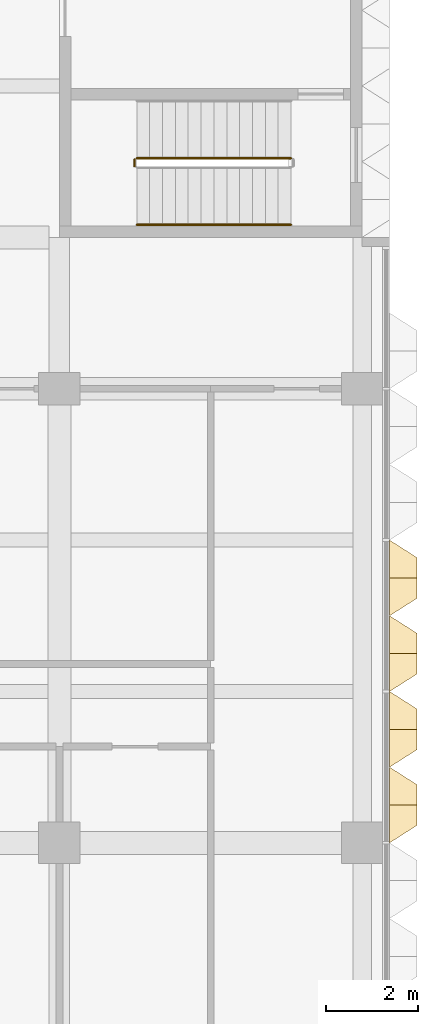
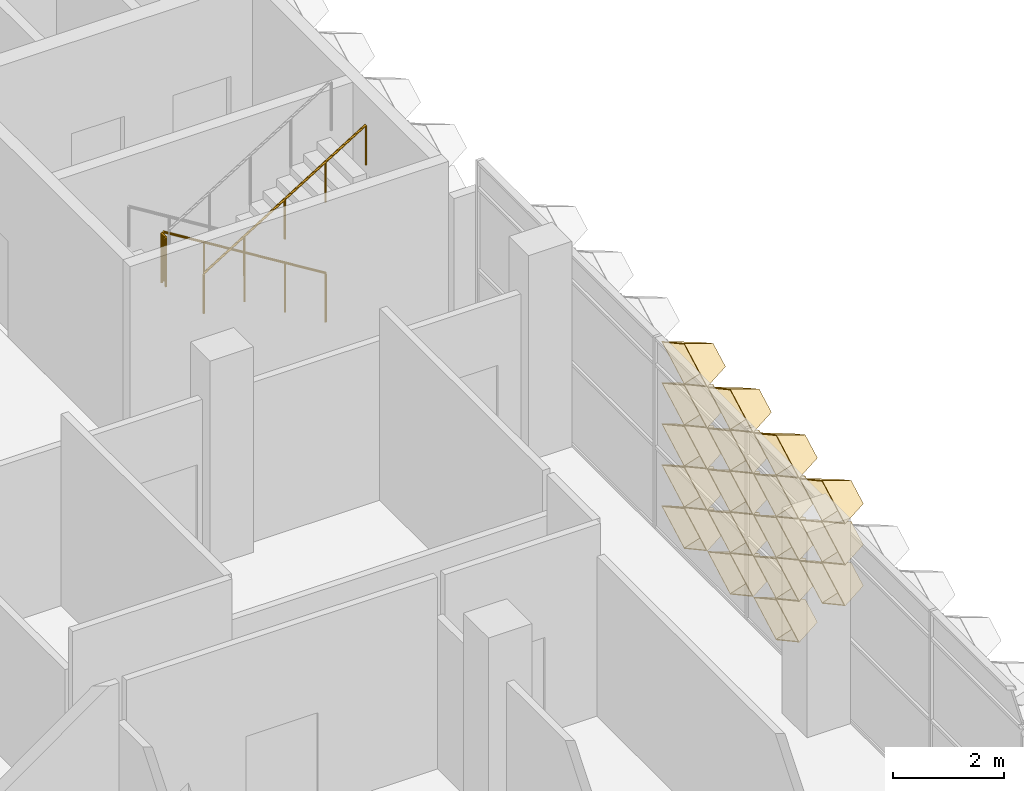
# One storey, part 78 of 102: 18 coverings, 3 railings.
"""IFC4 building model written with IfcOpenShell, lengths in metres."""

import ifcopenshell
import ifcopenshell.guid

model = None  # the IFC model being written
_history = None  # IfcOwnerHistory: only IFC2X3 demands one
_inside = {}  # id of a spatial element -> (the spatial element, [elements in it])
_under = {}  # id of a project, library or spatial element -> (it, [spatial elements below it])
_declared = {}  # id of a project -> (the project, [libraries it declares])
_typed = {}  # id of a type object -> (the type object, [elements of that type])
_made_of = {}  # id of a material, layer set ... -> (it, [elements and type objects made of it])


def new_model(schema):
    """Start an empty IFC model of exactly this schema.

    Asked for "IFC4X3", IfcOpenShell would pick the latest addendum, in which some entities
    have other attributes; the version numbers below select the first issue.
    IFC2X3 requires an IfcOwnerHistory on every rooted entity: one is made here for all.
    """
    global model, _history
    if schema == "IFC4X3":
        model = ifcopenshell.file(schema_version=(4, 3, 0, 0))
    else:
        model = ifcopenshell.file(schema=schema)
    _inside.clear()
    _under.clear()
    _declared.clear()
    _typed.clear()
    _made_of.clear()
    _history = None
    if model.schema == "IFC2X3":
        org = make("IfcOrganization", Name="unknown")
        user = make(
            "IfcPersonAndOrganization",
            ThePerson=make("IfcPerson", FamilyName="unknown"),
            TheOrganization=org,
        )
        app = make(
            "IfcApplication",
            ApplicationDeveloper=org,
            Version="unknown",
            ApplicationFullName="unknown",
            ApplicationIdentifier="unknown",
        )
        _history = make(
            "IfcOwnerHistory",
            OwningUser=user,
            OwningApplication=app,
            ChangeAction="ADDED",
            CreationDate=0,
        )
    return model


def make(cls, **values):
    """One entity of the class cls with the attributes given. An attribute that is None is left unset."""
    return model.create_entity(
        cls, **{name: value for name, value in values.items() if value is not None}
    )


def entity(cls, *values):
    """Any entity or typed value of the class cls, its attributes in the order of the schema. None: left unset."""
    e = model.create_entity(cls)
    for i, value in enumerate(values):
        if value is not None:
            e[i] = value
    return e


def rooted(cls, **values):
    """An entity with a GlobalId (a new one), such as an element, a storey or a relation."""
    return make(cls, GlobalId=ifcopenshell.guid.new(), OwnerHistory=_history, **values)


def si_unit(unit_type, name, prefix=None):
    """IfcSIUnit, for example si_unit("LENGTHUNIT", "METRE", prefix="MILLI")."""
    return make("IfcSIUnit", UnitType=unit_type, Prefix=prefix, Name=name)


def assignment(units):
    """IfcUnitAssignment: the units of a project."""
    return None if units is None else make("IfcUnitAssignment", Units=units)


def point(xyz):
    """IfcCartesianPoint."""
    return None if xyz is None else make("IfcCartesianPoint", Coordinates=xyz)


def direction(xyz):
    """IfcDirection."""
    return None if xyz is None else make("IfcDirection", DirectionRatios=xyz)


def frame(location, z_axis=None, x_axis=None):
    """IfcAxis2Placement3D, a coordinate frame: its origin and axes. An axis left out is left unset."""
    return make(
        "IfcAxis2Placement3D",
        Location=point(location),
        Axis=direction(z_axis),
        RefDirection=direction(x_axis),
    )


def frame_2d(location, x_axis=None):
    """IfcAxis2Placement2D, a coordinate frame in the plane: its origin and x axis."""
    return make(
        "IfcAxis2Placement2D", Location=point(location), RefDirection=direction(x_axis)
    )


def origin():
    """The frame at (0, 0, 0) with its axes left unset."""
    return frame((0.0, 0.0, 0.0))


def origin_2d():
    """The frame at (0, 0) in the plane with its x axis left unset."""
    return frame_2d((0.0, 0.0))


def place(relative_to, where):
    """IfcLocalPlacement: puts the frame where relative to a parent placement (None: the world)."""
    return make(
        "IfcLocalPlacement", PlacementRelTo=relative_to, RelativePlacement=where
    )


def context(
    kind, dimensions, precision=None, world=None, true_north=None, identifier=None
):
    """IfcGeometricRepresentationContext, for example the 3D "Model" context."""
    return make(
        "IfcGeometricRepresentationContext",
        ContextIdentifier=identifier,
        ContextType=kind,
        CoordinateSpaceDimension=dimensions,
        Precision=precision,
        WorldCoordinateSystem=world,
        TrueNorth=true_north,
    )


def subcontext(parent, identifier, kind, view, scale=None):
    """IfcGeometricRepresentationSubContext, for example "Body" below "Model"."""
    return make(
        "IfcGeometricRepresentationSubContext",
        ContextIdentifier=identifier,
        ContextType=kind,
        ParentContext=parent,
        TargetScale=scale,
        TargetView=view,
    )


def project(units=None, contexts=None):
    """IfcProject with its units and contexts."""
    return rooted(
        "IfcProject",
        Name="project",
        RepresentationContexts=contexts,
        UnitsInContext=assignment(units),
    )


def spatial(cls, under=None, at=None, **own):
    """A site, building, storey or space (cls), placed at a placement, below another one or the project."""
    s = rooted(cls, ObjectPlacement=at, **own)
    if under is not None:
        _under.setdefault(under.id(), (under, []))[1].append(s)
    return s


def profile(cls, at=None, kind="AREA", **sizes):
    """A parametric profile (cls). Its sizes go by their IFC names, for example OverallWidth=200.0."""
    return make(cls, ProfileType=kind, Position=at, **sizes)


def circle(**sizes):
    """IfcCircleProfileDef."""
    return profile("IfcCircleProfileDef", **sizes)


def extrude(swept, where, along, depth):
    """IfcExtrudedAreaSolid: the profile swept, set in the frame where, extruded along a direction by depth."""
    return make(
        "IfcExtrudedAreaSolid",
        SweptArea=swept,
        Position=where,
        ExtrudedDirection=direction(along),
        Depth=depth,
    )


def shape(context_of_items, identifier, shape_type, items):
    """IfcShapeRepresentation: the items that make up one representation, for example the "Body"."""
    return make(
        "IfcShapeRepresentation",
        ContextOfItems=context_of_items,
        RepresentationIdentifier=identifier,
        RepresentationType=shape_type,
        Items=items,
    )


def material(Name=None, Category=None):
    """IfcMaterial."""
    return make("IfcMaterial", Name=Name, Category=Category)


def layer(
    of_material, thickness, ventilated=None, Name=None, Category=None, Priority=None
):
    """IfcMaterialLayer: one layer of a wall or slab, of a material (None: an air gap)."""
    return make(
        "IfcMaterialLayer",
        Material=of_material,
        LayerThickness=thickness,
        IsVentilated=ventilated,
        Name=Name,
        Category=Category,
        Priority=Priority,
    )


def layer_set(layers, Name=None):
    """IfcMaterialLayerSet."""
    return make("IfcMaterialLayerSet", MaterialLayers=layers, LayerSetName=Name)


def made_of(thing, what):
    """Note that an element or type object is made of a material, layer set ...; save() writes the relation."""
    if what is not None:
        _made_of.setdefault(what.id(), (what, []))[1].append(thing)
    return thing


def type_object(cls, material=None, **own):
    """A type object (cls), such as IfcWallType, which elements share."""
    return made_of(rooted(cls, **own), material)


def element(
    cls,
    number,
    at=None,
    inside=None,
    cuts=None,
    type_object=None,
    material=None,
    context=None,
    identifier="Body",
    shape_type=None,
    held_by="IfcProductDefinitionShape",
    body=None,
    shapes=None,
    **own,
):
    """One element of the class cls, such as IfcWall. Its Tag is "e" and its number.

    at: its placement. inside: the storey or other place that contains it. cuts: it is an
    opening in that element (IfcRelVoidsElement). A single representation is given by context,
    identifier, shape_type and body (its items); several are given by shapes. held_by: the class
    of the entity that holds the representations. save() writes the other relations.
    """
    e = rooted(cls, Tag="e%d" % number, ObjectPlacement=at, **own)
    if body is not None:
        shapes = [shape(context, identifier, shape_type, body)]
    if shapes is not None:
        e.Representation = make(held_by, Representations=shapes)
    if inside is not None:
        _inside.setdefault(inside.id(), (inside, []))[1].append(e)
    if cuts is not None:
        rooted(
            "IfcRelVoidsElement", RelatingBuildingElement=cuts, RelatedOpeningElement=e
        )
    if type_object is not None:
        _typed.setdefault(type_object.id(), (type_object, []))[1].append(e)
    return made_of(e, material)


def aggregate(whole, parts):
    """IfcRelAggregates: a whole, such as a stair, and the parts it consists of."""
    return rooted("IfcRelAggregates", RelatingObject=whole, RelatedObjects=parts)


def save(model, path):
    """Write the relations noted so far, then the file.

    IfcRelAggregates (storeys below a building ...), IfcRelContainedInSpatialStructure (elements
    in a storey), IfcRelDefinesByType, IfcRelAssociatesMaterial and IfcRelDeclares: one each for
    every whole, place, type object, material and project.
    """
    for whole, parts in _under.values():
        aggregate(whole, parts)
    for where, things in _inside.values():
        rooted(
            "IfcRelContainedInSpatialStructure",
            RelatedElements=things,
            RelatingStructure=where,
        )
    for kind, things in _typed.values():
        rooted("IfcRelDefinesByType", RelatedObjects=things, RelatingType=kind)
    for what, things in _made_of.values():
        rooted("IfcRelAssociatesMaterial", RelatedObjects=things, RelatingMaterial=what)
    for by, libraries in _declared.values():
        rooted("IfcRelDeclares", RelatingContext=by, RelatedDefinitions=libraries)
    model.write(path)


model = new_model("IFC4")

# Units and contexts
model_context = context("Model", 3, precision=1e-05, world=origin(), true_north=direction((0.0, 1.0)))
body_context = subcontext(model_context, "Body", "Model", "MODEL_VIEW")
ifc_project = project(units=[si_unit("LENGTHUNIT", "METRE"), si_unit("AREAUNIT", "SQUARE_METRE"), si_unit("VOLUMEUNIT", "CUBIC_METRE"), si_unit("PLANEANGLEUNIT", "RADIAN"), si_unit("MASSUNIT", "GRAM", prefix="KILO")], contexts=[model_context])

# Site, building, storey
site_placement = place(None, origin())
site = spatial("IfcSite", under=ifc_project, at=site_placement, CompositionType="ELEMENT")
building_placement = place(site_placement, origin())
building = spatial("IfcBuilding", under=site, at=building_placement, Name="Lantern Court Research Institute", CompositionType="ELEMENT")
storey_placement = place(building_placement, frame((0.0, 0.0, 9.89990234375)))
storey = spatial("IfcBuildingStorey", under=building, at=storey_placement, Name="L02", CompositionType="ELEMENT", Elevation=9.89990234375)

# Coverings
ifc_material_1 = material(Name="Anodised aluminium", Category="aluminium")
ifc_layer = layer(ifc_material_1, 0.01611328125)
ifc_layer_set = layer_set([ifc_layer], Name="Anodised aluminium")
covering_type = type_object("IfcCoveringType", Name="Fin cassette 1650 x 900 x 600 aluminium", PredefinedType="CLADDING", material=ifc_layer_set)
covering_1_placement = place(storey_placement, frame((79.800048828125, 2.47509765625, 0.4501953125), z_axis=(1.0, 0.0, 0.0), x_axis=(0.0, 1.0, 0.0)))
cartesian_point_1 = entity("IfcCartesianPoint", [0.824951171875, 0.0])
cartesian_point_2 = entity("IfcCartesianPoint", [0.79150390625, 0.0])
cartesian_point_3 = entity("IfcCartesianPoint", [0.44189453125, 0.0])
cartesian_point_4 = entity("IfcCartesianPoint", [0.43359375, 0.0])
element("IfcCovering", 1, at=covering_1_placement, inside=storey, type_object=covering_type, Name="Fin cassette V5E-L02 1.2", PredefinedType="CLADDING", context=body_context, shape_type="SweptSolid", body=[
    entity("IfcExtrudedAreaSolidTapered", entity("IfcArbitraryProfileDefWithVoids", "AREA", None, entity("IfcPolyline", [cartesian_point_1, entity("IfcCartesianPoint", [0.0, 0.449951171875]), entity("IfcCartesianPoint", [-0.824951171875, 0.0]), entity("IfcCartesianPoint", [0.0, -0.449951171875]), cartesian_point_1]), [entity("IfcPolyline", [cartesian_point_2, entity("IfcCartesianPoint", [0.0, 0.431884765625]), entity("IfcCartesianPoint", [-0.79150390625, 0.0]), entity("IfcCartesianPoint", [0.0, -0.431884765625]), cartesian_point_2])]), entity("IfcAxis2Placement3D", entity("IfcCartesianPoint", [0.0, 0.0, 0.0])), entity("IfcDirection", [0.0, 0.0, 1.0]), 0.60009765625, entity("IfcArbitraryProfileDefWithVoids", "AREA", None, entity("IfcPolyline", [cartesian_point_3, entity("IfcCartesianPoint", [0.0, 0.240966796875]), entity("IfcCartesianPoint", [-0.44189453125, 0.0]), entity("IfcCartesianPoint", [0.0, -0.240966796875]), cartesian_point_3]), [entity("IfcPolyline", [cartesian_point_4, entity("IfcCartesianPoint", [0.0, 0.236572265625]), entity("IfcCartesianPoint", [-0.43359375, 0.0]), entity("IfcCartesianPoint", [0.0, -0.236572265625]), cartesian_point_4])])),
])
covering_2_placement = place(storey_placement, frame((79.800048828125, 4.125, 0.4501953125), z_axis=(1.0, 0.0, 0.0), x_axis=(0.0, 1.0, 0.0)))
cartesian_point_5 = entity("IfcCartesianPoint", [0.824951171875, 0.0])
cartesian_point_6 = entity("IfcCartesianPoint", [0.79150390625, 0.0])
cartesian_point_7 = entity("IfcCartesianPoint", [0.44189453125, 0.0])
cartesian_point_8 = entity("IfcCartesianPoint", [0.43359375, 0.0])
element("IfcCovering", 2, at=covering_2_placement, inside=storey, type_object=covering_type, Name="Fin cassette V5E-L02 1.3", PredefinedType="CLADDING", context=body_context, shape_type="SweptSolid", body=[
    entity("IfcExtrudedAreaSolidTapered", entity("IfcArbitraryProfileDefWithVoids", "AREA", None, entity("IfcPolyline", [cartesian_point_5, entity("IfcCartesianPoint", [0.0, 0.449951171875]), entity("IfcCartesianPoint", [-0.824951171875, 0.0]), entity("IfcCartesianPoint", [0.0, -0.449951171875]), cartesian_point_5]), [entity("IfcPolyline", [cartesian_point_6, entity("IfcCartesianPoint", [0.0, 0.431884765625]), entity("IfcCartesianPoint", [-0.79150390625, 0.0]), entity("IfcCartesianPoint", [0.0, -0.431884765625]), cartesian_point_6])]), entity("IfcAxis2Placement3D", entity("IfcCartesianPoint", [0.0, 0.0, 0.0])), entity("IfcDirection", [0.0, 0.0, 1.0]), 0.60009765625, entity("IfcArbitraryProfileDefWithVoids", "AREA", None, entity("IfcPolyline", [cartesian_point_7, entity("IfcCartesianPoint", [0.0, 0.240966796875]), entity("IfcCartesianPoint", [-0.44189453125, 0.0]), entity("IfcCartesianPoint", [0.0, -0.240966796875]), cartesian_point_7]), [entity("IfcPolyline", [cartesian_point_8, entity("IfcCartesianPoint", [0.0, 0.236572265625]), entity("IfcCartesianPoint", [-0.43359375, 0.0]), entity("IfcCartesianPoint", [0.0, -0.236572265625]), cartesian_point_8])])),
])
covering_3_placement = place(storey_placement, frame((79.800048828125, 5.77490234375, 0.4501953125), z_axis=(1.0, 0.0, 0.0), x_axis=(0.0, 1.0, 0.0)))
cartesian_point_9 = entity("IfcCartesianPoint", [0.824951171875, 0.0])
cartesian_point_10 = entity("IfcCartesianPoint", [0.79150390625, 0.0])
cartesian_point_11 = entity("IfcCartesianPoint", [0.44189453125, 0.0])
cartesian_point_12 = entity("IfcCartesianPoint", [0.43359375, 0.0])
element("IfcCovering", 3, at=covering_3_placement, inside=storey, type_object=covering_type, Name="Fin cassette V5E-L02 1.4", PredefinedType="CLADDING", context=body_context, shape_type="SweptSolid", body=[
    entity("IfcExtrudedAreaSolidTapered", entity("IfcArbitraryProfileDefWithVoids", "AREA", None, entity("IfcPolyline", [cartesian_point_9, entity("IfcCartesianPoint", [0.0, 0.449951171875]), entity("IfcCartesianPoint", [-0.824951171875, 0.0]), entity("IfcCartesianPoint", [0.0, -0.449951171875]), cartesian_point_9]), [entity("IfcPolyline", [cartesian_point_10, entity("IfcCartesianPoint", [0.0, 0.431884765625]), entity("IfcCartesianPoint", [-0.79150390625, 0.0]), entity("IfcCartesianPoint", [0.0, -0.431884765625]), cartesian_point_10])]), entity("IfcAxis2Placement3D", entity("IfcCartesianPoint", [0.0, 0.0, 0.0])), entity("IfcDirection", [0.0, 0.0, 1.0]), 0.60009765625, entity("IfcArbitraryProfileDefWithVoids", "AREA", None, entity("IfcPolyline", [cartesian_point_11, entity("IfcCartesianPoint", [0.0, 0.240966796875]), entity("IfcCartesianPoint", [-0.44189453125, 0.0]), entity("IfcCartesianPoint", [0.0, -0.240966796875]), cartesian_point_11]), [entity("IfcPolyline", [cartesian_point_12, entity("IfcCartesianPoint", [0.0, 0.236572265625]), entity("IfcCartesianPoint", [-0.43359375, 0.0]), entity("IfcCartesianPoint", [0.0, -0.236572265625]), cartesian_point_12])])),
])
covering_4_placement = place(storey_placement, frame((79.800048828125, 2.47509765625, 1.35009765625), z_axis=(1.0, 0.0, 0.0), x_axis=(0.0, 1.0, 0.0)))
cartesian_point_13 = entity("IfcCartesianPoint", [0.824951171875, 0.0])
cartesian_point_14 = entity("IfcCartesianPoint", [0.79150390625, 0.0])
cartesian_point_15 = entity("IfcCartesianPoint", [0.44189453125, 0.0])
cartesian_point_16 = entity("IfcCartesianPoint", [0.43359375, 0.0])
element("IfcCovering", 4, at=covering_4_placement, inside=storey, type_object=covering_type, Name="Fin cassette V5E-L02 2.2", PredefinedType="CLADDING", context=body_context, shape_type="SweptSolid", body=[
    entity("IfcExtrudedAreaSolidTapered", entity("IfcArbitraryProfileDefWithVoids", "AREA", None, entity("IfcPolyline", [cartesian_point_13, entity("IfcCartesianPoint", [0.0, 0.449951171875]), entity("IfcCartesianPoint", [-0.824951171875, 0.0]), entity("IfcCartesianPoint", [0.0, -0.449951171875]), cartesian_point_13]), [entity("IfcPolyline", [cartesian_point_14, entity("IfcCartesianPoint", [0.0, 0.431884765625]), entity("IfcCartesianPoint", [-0.79150390625, 0.0]), entity("IfcCartesianPoint", [0.0, -0.431884765625]), cartesian_point_14])]), entity("IfcAxis2Placement3D", entity("IfcCartesianPoint", [0.0, 0.0, 0.0])), entity("IfcDirection", [0.0, 0.0, 1.0]), 0.60009765625, entity("IfcArbitraryProfileDefWithVoids", "AREA", None, entity("IfcPolyline", [cartesian_point_15, entity("IfcCartesianPoint", [0.0, 0.240966796875]), entity("IfcCartesianPoint", [-0.44189453125, 0.0]), entity("IfcCartesianPoint", [0.0, -0.240966796875]), cartesian_point_15]), [entity("IfcPolyline", [cartesian_point_16, entity("IfcCartesianPoint", [0.0, 0.236572265625]), entity("IfcCartesianPoint", [-0.43359375, 0.0]), entity("IfcCartesianPoint", [0.0, -0.236572265625]), cartesian_point_16])])),
])
covering_5_placement = place(storey_placement, frame((79.800048828125, 4.125, 1.35009765625), z_axis=(1.0, 0.0, 0.0), x_axis=(0.0, 1.0, 0.0)))
cartesian_point_17 = entity("IfcCartesianPoint", [0.824951171875, 0.0])
cartesian_point_18 = entity("IfcCartesianPoint", [0.79150390625, 0.0])
cartesian_point_19 = entity("IfcCartesianPoint", [0.44189453125, 0.0])
cartesian_point_20 = entity("IfcCartesianPoint", [0.43359375, 0.0])
element("IfcCovering", 5, at=covering_5_placement, inside=storey, type_object=covering_type, Name="Fin cassette V5E-L02 2.3", PredefinedType="CLADDING", context=body_context, shape_type="SweptSolid", body=[
    entity("IfcExtrudedAreaSolidTapered", entity("IfcArbitraryProfileDefWithVoids", "AREA", None, entity("IfcPolyline", [cartesian_point_17, entity("IfcCartesianPoint", [0.0, 0.449951171875]), entity("IfcCartesianPoint", [-0.824951171875, 0.0]), entity("IfcCartesianPoint", [0.0, -0.449951171875]), cartesian_point_17]), [entity("IfcPolyline", [cartesian_point_18, entity("IfcCartesianPoint", [0.0, 0.431884765625]), entity("IfcCartesianPoint", [-0.79150390625, 0.0]), entity("IfcCartesianPoint", [0.0, -0.431884765625]), cartesian_point_18])]), entity("IfcAxis2Placement3D", entity("IfcCartesianPoint", [0.0, 0.0, 0.0])), entity("IfcDirection", [0.0, 0.0, 1.0]), 0.60009765625, entity("IfcArbitraryProfileDefWithVoids", "AREA", None, entity("IfcPolyline", [cartesian_point_19, entity("IfcCartesianPoint", [0.0, 0.240966796875]), entity("IfcCartesianPoint", [-0.44189453125, 0.0]), entity("IfcCartesianPoint", [0.0, -0.240966796875]), cartesian_point_19]), [entity("IfcPolyline", [cartesian_point_20, entity("IfcCartesianPoint", [0.0, 0.236572265625]), entity("IfcCartesianPoint", [-0.43359375, 0.0]), entity("IfcCartesianPoint", [0.0, -0.236572265625]), cartesian_point_20])])),
])
covering_6_placement = place(storey_placement, frame((79.800048828125, 5.77490234375, 1.35009765625), z_axis=(1.0, 0.0, 0.0), x_axis=(0.0, 1.0, 0.0)))
cartesian_point_21 = entity("IfcCartesianPoint", [0.824951171875, 0.0])
cartesian_point_22 = entity("IfcCartesianPoint", [0.79150390625, 0.0])
cartesian_point_23 = entity("IfcCartesianPoint", [0.44189453125, 0.0])
cartesian_point_24 = entity("IfcCartesianPoint", [0.43359375, 0.0])
element("IfcCovering", 6, at=covering_6_placement, inside=storey, type_object=covering_type, Name="Fin cassette V5E-L02 2.4", PredefinedType="CLADDING", context=body_context, shape_type="SweptSolid", body=[
    entity("IfcExtrudedAreaSolidTapered", entity("IfcArbitraryProfileDefWithVoids", "AREA", None, entity("IfcPolyline", [cartesian_point_21, entity("IfcCartesianPoint", [0.0, 0.449951171875]), entity("IfcCartesianPoint", [-0.824951171875, 0.0]), entity("IfcCartesianPoint", [0.0, -0.449951171875]), cartesian_point_21]), [entity("IfcPolyline", [cartesian_point_22, entity("IfcCartesianPoint", [0.0, 0.431884765625]), entity("IfcCartesianPoint", [-0.79150390625, 0.0]), entity("IfcCartesianPoint", [0.0, -0.431884765625]), cartesian_point_22])]), entity("IfcAxis2Placement3D", entity("IfcCartesianPoint", [0.0, 0.0, 0.0])), entity("IfcDirection", [0.0, 0.0, 1.0]), 0.60009765625, entity("IfcArbitraryProfileDefWithVoids", "AREA", None, entity("IfcPolyline", [cartesian_point_23, entity("IfcCartesianPoint", [0.0, 0.240966796875]), entity("IfcCartesianPoint", [-0.44189453125, 0.0]), entity("IfcCartesianPoint", [0.0, -0.240966796875]), cartesian_point_23]), [entity("IfcPolyline", [cartesian_point_24, entity("IfcCartesianPoint", [0.0, 0.236572265625]), entity("IfcCartesianPoint", [-0.43359375, 0.0]), entity("IfcCartesianPoint", [0.0, -0.236572265625]), cartesian_point_24])])),
])
covering_7_placement = place(storey_placement, frame((79.800048828125, 0.824951171875, 2.25), z_axis=(1.0, 0.0, 0.0), x_axis=(0.0, 1.0, 0.0)))
cartesian_point_25 = entity("IfcCartesianPoint", [0.824951171875, 0.0])
cartesian_point_26 = entity("IfcCartesianPoint", [0.79150390625, 0.0])
cartesian_point_27 = entity("IfcCartesianPoint", [0.44189453125, 0.0])
cartesian_point_28 = entity("IfcCartesianPoint", [0.43359375, 0.0])
element("IfcCovering", 7, at=covering_7_placement, inside=storey, type_object=covering_type, Name="Fin cassette V5E-L02 3.1", PredefinedType="CLADDING", context=body_context, shape_type="SweptSolid", body=[
    entity("IfcExtrudedAreaSolidTapered", entity("IfcArbitraryProfileDefWithVoids", "AREA", None, entity("IfcPolyline", [cartesian_point_25, entity("IfcCartesianPoint", [0.0, 0.449951171875]), entity("IfcCartesianPoint", [-0.824951171875, 0.0]), entity("IfcCartesianPoint", [0.0, -0.449951171875]), cartesian_point_25]), [entity("IfcPolyline", [cartesian_point_26, entity("IfcCartesianPoint", [0.0, 0.431884765625]), entity("IfcCartesianPoint", [-0.79150390625, 0.0]), entity("IfcCartesianPoint", [0.0, -0.431884765625]), cartesian_point_26])]), entity("IfcAxis2Placement3D", entity("IfcCartesianPoint", [0.0, 0.0, 0.0])), entity("IfcDirection", [0.0, 0.0, 1.0]), 0.60009765625, entity("IfcArbitraryProfileDefWithVoids", "AREA", None, entity("IfcPolyline", [cartesian_point_27, entity("IfcCartesianPoint", [0.0, 0.240966796875]), entity("IfcCartesianPoint", [-0.44189453125, 0.0]), entity("IfcCartesianPoint", [0.0, -0.240966796875]), cartesian_point_27]), [entity("IfcPolyline", [cartesian_point_28, entity("IfcCartesianPoint", [0.0, 0.236572265625]), entity("IfcCartesianPoint", [-0.43359375, 0.0]), entity("IfcCartesianPoint", [0.0, -0.236572265625]), cartesian_point_28])])),
])
covering_8_placement = place(storey_placement, frame((79.800048828125, 2.47509765625, 2.25), z_axis=(1.0, 0.0, 0.0), x_axis=(0.0, 1.0, 0.0)))
cartesian_point_29 = entity("IfcCartesianPoint", [0.824951171875, 0.0])
cartesian_point_30 = entity("IfcCartesianPoint", [0.79150390625, 0.0])
cartesian_point_31 = entity("IfcCartesianPoint", [0.44189453125, 0.0])
cartesian_point_32 = entity("IfcCartesianPoint", [0.43359375, 0.0])
element("IfcCovering", 8, at=covering_8_placement, inside=storey, type_object=covering_type, Name="Fin cassette V5E-L02 3.2", PredefinedType="CLADDING", context=body_context, shape_type="SweptSolid", body=[
    entity("IfcExtrudedAreaSolidTapered", entity("IfcArbitraryProfileDefWithVoids", "AREA", None, entity("IfcPolyline", [cartesian_point_29, entity("IfcCartesianPoint", [0.0, 0.449951171875]), entity("IfcCartesianPoint", [-0.824951171875, 0.0]), entity("IfcCartesianPoint", [0.0, -0.449951171875]), cartesian_point_29]), [entity("IfcPolyline", [cartesian_point_30, entity("IfcCartesianPoint", [0.0, 0.431884765625]), entity("IfcCartesianPoint", [-0.79150390625, 0.0]), entity("IfcCartesianPoint", [0.0, -0.431884765625]), cartesian_point_30])]), entity("IfcAxis2Placement3D", entity("IfcCartesianPoint", [0.0, 0.0, 0.0])), entity("IfcDirection", [0.0, 0.0, 1.0]), 0.60009765625, entity("IfcArbitraryProfileDefWithVoids", "AREA", None, entity("IfcPolyline", [cartesian_point_31, entity("IfcCartesianPoint", [0.0, 0.240966796875]), entity("IfcCartesianPoint", [-0.44189453125, 0.0]), entity("IfcCartesianPoint", [0.0, -0.240966796875]), cartesian_point_31]), [entity("IfcPolyline", [cartesian_point_32, entity("IfcCartesianPoint", [0.0, 0.236572265625]), entity("IfcCartesianPoint", [-0.43359375, 0.0]), entity("IfcCartesianPoint", [0.0, -0.236572265625]), cartesian_point_32])])),
])
covering_9_placement = place(storey_placement, frame((79.800048828125, 4.125, 2.25), z_axis=(1.0, 0.0, 0.0), x_axis=(0.0, 1.0, 0.0)))
cartesian_point_33 = entity("IfcCartesianPoint", [0.824951171875, 0.0])
cartesian_point_34 = entity("IfcCartesianPoint", [0.79150390625, 0.0])
cartesian_point_35 = entity("IfcCartesianPoint", [0.44189453125, 0.0])
cartesian_point_36 = entity("IfcCartesianPoint", [0.43359375, 0.0])
element("IfcCovering", 9, at=covering_9_placement, inside=storey, type_object=covering_type, Name="Fin cassette V5E-L02 3.3", PredefinedType="CLADDING", context=body_context, shape_type="SweptSolid", body=[
    entity("IfcExtrudedAreaSolidTapered", entity("IfcArbitraryProfileDefWithVoids", "AREA", None, entity("IfcPolyline", [cartesian_point_33, entity("IfcCartesianPoint", [0.0, 0.449951171875]), entity("IfcCartesianPoint", [-0.824951171875, 0.0]), entity("IfcCartesianPoint", [0.0, -0.449951171875]), cartesian_point_33]), [entity("IfcPolyline", [cartesian_point_34, entity("IfcCartesianPoint", [0.0, 0.431884765625]), entity("IfcCartesianPoint", [-0.79150390625, 0.0]), entity("IfcCartesianPoint", [0.0, -0.431884765625]), cartesian_point_34])]), entity("IfcAxis2Placement3D", entity("IfcCartesianPoint", [0.0, 0.0, 0.0])), entity("IfcDirection", [0.0, 0.0, 1.0]), 0.60009765625, entity("IfcArbitraryProfileDefWithVoids", "AREA", None, entity("IfcPolyline", [cartesian_point_35, entity("IfcCartesianPoint", [0.0, 0.240966796875]), entity("IfcCartesianPoint", [-0.44189453125, 0.0]), entity("IfcCartesianPoint", [0.0, -0.240966796875]), cartesian_point_35]), [entity("IfcPolyline", [cartesian_point_36, entity("IfcCartesianPoint", [0.0, 0.236572265625]), entity("IfcCartesianPoint", [-0.43359375, 0.0]), entity("IfcCartesianPoint", [0.0, -0.236572265625]), cartesian_point_36])])),
])
covering_10_placement = place(storey_placement, frame((79.800048828125, 5.77490234375, 2.25), z_axis=(1.0, 0.0, 0.0), x_axis=(0.0, 1.0, 0.0)))
cartesian_point_37 = entity("IfcCartesianPoint", [0.824951171875, 0.0])
cartesian_point_38 = entity("IfcCartesianPoint", [0.79150390625, 0.0])
cartesian_point_39 = entity("IfcCartesianPoint", [0.44189453125, 0.0])
cartesian_point_40 = entity("IfcCartesianPoint", [0.43359375, 0.0])
element("IfcCovering", 10, at=covering_10_placement, inside=storey, type_object=covering_type, Name="Fin cassette V5E-L02 3.4", PredefinedType="CLADDING", context=body_context, shape_type="SweptSolid", body=[
    entity("IfcExtrudedAreaSolidTapered", entity("IfcArbitraryProfileDefWithVoids", "AREA", None, entity("IfcPolyline", [cartesian_point_37, entity("IfcCartesianPoint", [0.0, 0.449951171875]), entity("IfcCartesianPoint", [-0.824951171875, 0.0]), entity("IfcCartesianPoint", [0.0, -0.449951171875]), cartesian_point_37]), [entity("IfcPolyline", [cartesian_point_38, entity("IfcCartesianPoint", [0.0, 0.431884765625]), entity("IfcCartesianPoint", [-0.79150390625, 0.0]), entity("IfcCartesianPoint", [0.0, -0.431884765625]), cartesian_point_38])]), entity("IfcAxis2Placement3D", entity("IfcCartesianPoint", [0.0, 0.0, 0.0])), entity("IfcDirection", [0.0, 0.0, 1.0]), 0.60009765625, entity("IfcArbitraryProfileDefWithVoids", "AREA", None, entity("IfcPolyline", [cartesian_point_39, entity("IfcCartesianPoint", [0.0, 0.240966796875]), entity("IfcCartesianPoint", [-0.44189453125, 0.0]), entity("IfcCartesianPoint", [0.0, -0.240966796875]), cartesian_point_39]), [entity("IfcPolyline", [cartesian_point_40, entity("IfcCartesianPoint", [0.0, 0.236572265625]), entity("IfcCartesianPoint", [-0.43359375, 0.0]), entity("IfcCartesianPoint", [0.0, -0.236572265625]), cartesian_point_40])])),
])
covering_11_placement = place(storey_placement, frame((79.800048828125, 0.824951171875, 3.150146484375), z_axis=(1.0, 0.0, 0.0), x_axis=(0.0, 1.0, 0.0)))
cartesian_point_41 = entity("IfcCartesianPoint", [0.824951171875, 0.0])
cartesian_point_42 = entity("IfcCartesianPoint", [0.79150390625, 0.0])
cartesian_point_43 = entity("IfcCartesianPoint", [0.44189453125, 0.0])
cartesian_point_44 = entity("IfcCartesianPoint", [0.43359375, 0.0])
element("IfcCovering", 11, at=covering_11_placement, inside=storey, type_object=covering_type, Name="Fin cassette V5E-L02 4.1", PredefinedType="CLADDING", context=body_context, shape_type="SweptSolid", body=[
    entity("IfcExtrudedAreaSolidTapered", entity("IfcArbitraryProfileDefWithVoids", "AREA", None, entity("IfcPolyline", [cartesian_point_41, entity("IfcCartesianPoint", [0.0, 0.449951171875]), entity("IfcCartesianPoint", [-0.824951171875, 0.0]), entity("IfcCartesianPoint", [0.0, -0.449951171875]), cartesian_point_41]), [entity("IfcPolyline", [cartesian_point_42, entity("IfcCartesianPoint", [0.0, 0.431884765625]), entity("IfcCartesianPoint", [-0.79150390625, 0.0]), entity("IfcCartesianPoint", [0.0, -0.431884765625]), cartesian_point_42])]), entity("IfcAxis2Placement3D", entity("IfcCartesianPoint", [0.0, 0.0, 0.0])), entity("IfcDirection", [0.0, 0.0, 1.0]), 0.60009765625, entity("IfcArbitraryProfileDefWithVoids", "AREA", None, entity("IfcPolyline", [cartesian_point_43, entity("IfcCartesianPoint", [0.0, 0.240966796875]), entity("IfcCartesianPoint", [-0.44189453125, 0.0]), entity("IfcCartesianPoint", [0.0, -0.240966796875]), cartesian_point_43]), [entity("IfcPolyline", [cartesian_point_44, entity("IfcCartesianPoint", [0.0, 0.236572265625]), entity("IfcCartesianPoint", [-0.43359375, 0.0]), entity("IfcCartesianPoint", [0.0, -0.236572265625]), cartesian_point_44])])),
])
covering_12_placement = place(storey_placement, frame((79.800048828125, 2.47509765625, 3.150146484375), z_axis=(1.0, 0.0, 0.0), x_axis=(0.0, 1.0, 0.0)))
cartesian_point_45 = entity("IfcCartesianPoint", [0.824951171875, 0.0])
cartesian_point_46 = entity("IfcCartesianPoint", [0.79150390625, 0.0])
cartesian_point_47 = entity("IfcCartesianPoint", [0.44189453125, 0.0])
cartesian_point_48 = entity("IfcCartesianPoint", [0.43359375, 0.0])
element("IfcCovering", 12, at=covering_12_placement, inside=storey, type_object=covering_type, Name="Fin cassette V5E-L02 4.2", PredefinedType="CLADDING", context=body_context, shape_type="SweptSolid", body=[
    entity("IfcExtrudedAreaSolidTapered", entity("IfcArbitraryProfileDefWithVoids", "AREA", None, entity("IfcPolyline", [cartesian_point_45, entity("IfcCartesianPoint", [0.0, 0.449951171875]), entity("IfcCartesianPoint", [-0.824951171875, 0.0]), entity("IfcCartesianPoint", [0.0, -0.449951171875]), cartesian_point_45]), [entity("IfcPolyline", [cartesian_point_46, entity("IfcCartesianPoint", [0.0, 0.431884765625]), entity("IfcCartesianPoint", [-0.79150390625, 0.0]), entity("IfcCartesianPoint", [0.0, -0.431884765625]), cartesian_point_46])]), entity("IfcAxis2Placement3D", entity("IfcCartesianPoint", [0.0, 0.0, 0.0])), entity("IfcDirection", [0.0, 0.0, 1.0]), 0.60009765625, entity("IfcArbitraryProfileDefWithVoids", "AREA", None, entity("IfcPolyline", [cartesian_point_47, entity("IfcCartesianPoint", [0.0, 0.240966796875]), entity("IfcCartesianPoint", [-0.44189453125, 0.0]), entity("IfcCartesianPoint", [0.0, -0.240966796875]), cartesian_point_47]), [entity("IfcPolyline", [cartesian_point_48, entity("IfcCartesianPoint", [0.0, 0.236572265625]), entity("IfcCartesianPoint", [-0.43359375, 0.0]), entity("IfcCartesianPoint", [0.0, -0.236572265625]), cartesian_point_48])])),
])
covering_13_placement = place(storey_placement, frame((79.800048828125, 4.125, 3.150146484375), z_axis=(1.0, 0.0, 0.0), x_axis=(0.0, 1.0, 0.0)))
cartesian_point_49 = entity("IfcCartesianPoint", [0.824951171875, 0.0])
cartesian_point_50 = entity("IfcCartesianPoint", [0.79150390625, 0.0])
cartesian_point_51 = entity("IfcCartesianPoint", [0.44189453125, 0.0])
cartesian_point_52 = entity("IfcCartesianPoint", [0.43359375, 0.0])
element("IfcCovering", 13, at=covering_13_placement, inside=storey, type_object=covering_type, Name="Fin cassette V5E-L02 4.3", PredefinedType="CLADDING", context=body_context, shape_type="SweptSolid", body=[
    entity("IfcExtrudedAreaSolidTapered", entity("IfcArbitraryProfileDefWithVoids", "AREA", None, entity("IfcPolyline", [cartesian_point_49, entity("IfcCartesianPoint", [0.0, 0.449951171875]), entity("IfcCartesianPoint", [-0.824951171875, 0.0]), entity("IfcCartesianPoint", [0.0, -0.449951171875]), cartesian_point_49]), [entity("IfcPolyline", [cartesian_point_50, entity("IfcCartesianPoint", [0.0, 0.431884765625]), entity("IfcCartesianPoint", [-0.79150390625, 0.0]), entity("IfcCartesianPoint", [0.0, -0.431884765625]), cartesian_point_50])]), entity("IfcAxis2Placement3D", entity("IfcCartesianPoint", [0.0, 0.0, 0.0])), entity("IfcDirection", [0.0, 0.0, 1.0]), 0.60009765625, entity("IfcArbitraryProfileDefWithVoids", "AREA", None, entity("IfcPolyline", [cartesian_point_51, entity("IfcCartesianPoint", [0.0, 0.240966796875]), entity("IfcCartesianPoint", [-0.44189453125, 0.0]), entity("IfcCartesianPoint", [0.0, -0.240966796875]), cartesian_point_51]), [entity("IfcPolyline", [cartesian_point_52, entity("IfcCartesianPoint", [0.0, 0.236572265625]), entity("IfcCartesianPoint", [-0.43359375, 0.0]), entity("IfcCartesianPoint", [0.0, -0.236572265625]), cartesian_point_52])])),
])
covering_14_placement = place(storey_placement, frame((79.800048828125, 5.77490234375, 3.150146484375), z_axis=(1.0, 0.0, 0.0), x_axis=(0.0, 1.0, 0.0)))
cartesian_point_53 = entity("IfcCartesianPoint", [0.824951171875, 0.0])
cartesian_point_54 = entity("IfcCartesianPoint", [0.79150390625, 0.0])
cartesian_point_55 = entity("IfcCartesianPoint", [0.44189453125, 0.0])
cartesian_point_56 = entity("IfcCartesianPoint", [0.43359375, 0.0])
element("IfcCovering", 14, at=covering_14_placement, inside=storey, type_object=covering_type, Name="Fin cassette V5E-L02 4.4", PredefinedType="CLADDING", context=body_context, shape_type="SweptSolid", body=[
    entity("IfcExtrudedAreaSolidTapered", entity("IfcArbitraryProfileDefWithVoids", "AREA", None, entity("IfcPolyline", [cartesian_point_53, entity("IfcCartesianPoint", [0.0, 0.449951171875]), entity("IfcCartesianPoint", [-0.824951171875, 0.0]), entity("IfcCartesianPoint", [0.0, -0.449951171875]), cartesian_point_53]), [entity("IfcPolyline", [cartesian_point_54, entity("IfcCartesianPoint", [0.0, 0.431884765625]), entity("IfcCartesianPoint", [-0.79150390625, 0.0]), entity("IfcCartesianPoint", [0.0, -0.431884765625]), cartesian_point_54])]), entity("IfcAxis2Placement3D", entity("IfcCartesianPoint", [0.0, 0.0, 0.0])), entity("IfcDirection", [0.0, 0.0, 1.0]), 0.60009765625, entity("IfcArbitraryProfileDefWithVoids", "AREA", None, entity("IfcPolyline", [cartesian_point_55, entity("IfcCartesianPoint", [0.0, 0.240966796875]), entity("IfcCartesianPoint", [-0.44189453125, 0.0]), entity("IfcCartesianPoint", [0.0, -0.240966796875]), cartesian_point_55]), [entity("IfcPolyline", [cartesian_point_56, entity("IfcCartesianPoint", [0.0, 0.236572265625]), entity("IfcCartesianPoint", [-0.43359375, 0.0]), entity("IfcCartesianPoint", [0.0, -0.236572265625]), cartesian_point_56])])),
])
covering_15_placement = place(storey_placement, frame((79.800048828125, 0.824951171875, 4.050048828125), z_axis=(1.0, 0.0, 0.0), x_axis=(0.0, 1.0, 0.0)))
cartesian_point_57 = entity("IfcCartesianPoint", [0.824951171875, 0.0])
cartesian_point_58 = entity("IfcCartesianPoint", [0.79150390625, 0.0])
cartesian_point_59 = entity("IfcCartesianPoint", [0.44189453125, 0.0])
cartesian_point_60 = entity("IfcCartesianPoint", [0.43359375, 0.0])
element("IfcCovering", 15, at=covering_15_placement, inside=storey, type_object=covering_type, Name="Fin cassette V5E-L02 5.1", PredefinedType="CLADDING", context=body_context, shape_type="SweptSolid", body=[
    entity("IfcExtrudedAreaSolidTapered", entity("IfcArbitraryProfileDefWithVoids", "AREA", None, entity("IfcPolyline", [cartesian_point_57, entity("IfcCartesianPoint", [0.0, 0.449951171875]), entity("IfcCartesianPoint", [-0.824951171875, 0.0]), entity("IfcCartesianPoint", [0.0, -0.449951171875]), cartesian_point_57]), [entity("IfcPolyline", [cartesian_point_58, entity("IfcCartesianPoint", [0.0, 0.431884765625]), entity("IfcCartesianPoint", [-0.79150390625, 0.0]), entity("IfcCartesianPoint", [0.0, -0.431884765625]), cartesian_point_58])]), entity("IfcAxis2Placement3D", entity("IfcCartesianPoint", [0.0, 0.0, 0.0])), entity("IfcDirection", [0.0, 0.0, 1.0]), 0.60009765625, entity("IfcArbitraryProfileDefWithVoids", "AREA", None, entity("IfcPolyline", [cartesian_point_59, entity("IfcCartesianPoint", [0.0, 0.240966796875]), entity("IfcCartesianPoint", [-0.44189453125, 0.0]), entity("IfcCartesianPoint", [0.0, -0.240966796875]), cartesian_point_59]), [entity("IfcPolyline", [cartesian_point_60, entity("IfcCartesianPoint", [0.0, 0.236572265625]), entity("IfcCartesianPoint", [-0.43359375, 0.0]), entity("IfcCartesianPoint", [0.0, -0.236572265625]), cartesian_point_60])])),
])
covering_16_placement = place(storey_placement, frame((79.800048828125, 2.47509765625, 4.050048828125), z_axis=(1.0, 0.0, 0.0), x_axis=(0.0, 1.0, 0.0)))
cartesian_point_61 = entity("IfcCartesianPoint", [0.824951171875, 0.0])
cartesian_point_62 = entity("IfcCartesianPoint", [0.79150390625, 0.0])
cartesian_point_63 = entity("IfcCartesianPoint", [0.44189453125, 0.0])
cartesian_point_64 = entity("IfcCartesianPoint", [0.43359375, 0.0])
element("IfcCovering", 16, at=covering_16_placement, inside=storey, type_object=covering_type, Name="Fin cassette V5E-L02 5.2", PredefinedType="CLADDING", context=body_context, shape_type="SweptSolid", body=[
    entity("IfcExtrudedAreaSolidTapered", entity("IfcArbitraryProfileDefWithVoids", "AREA", None, entity("IfcPolyline", [cartesian_point_61, entity("IfcCartesianPoint", [0.0, 0.449951171875]), entity("IfcCartesianPoint", [-0.824951171875, 0.0]), entity("IfcCartesianPoint", [0.0, -0.449951171875]), cartesian_point_61]), [entity("IfcPolyline", [cartesian_point_62, entity("IfcCartesianPoint", [0.0, 0.431884765625]), entity("IfcCartesianPoint", [-0.79150390625, 0.0]), entity("IfcCartesianPoint", [0.0, -0.431884765625]), cartesian_point_62])]), entity("IfcAxis2Placement3D", entity("IfcCartesianPoint", [0.0, 0.0, 0.0])), entity("IfcDirection", [0.0, 0.0, 1.0]), 0.60009765625, entity("IfcArbitraryProfileDefWithVoids", "AREA", None, entity("IfcPolyline", [cartesian_point_63, entity("IfcCartesianPoint", [0.0, 0.240966796875]), entity("IfcCartesianPoint", [-0.44189453125, 0.0]), entity("IfcCartesianPoint", [0.0, -0.240966796875]), cartesian_point_63]), [entity("IfcPolyline", [cartesian_point_64, entity("IfcCartesianPoint", [0.0, 0.236572265625]), entity("IfcCartesianPoint", [-0.43359375, 0.0]), entity("IfcCartesianPoint", [0.0, -0.236572265625]), cartesian_point_64])])),
])
covering_17_placement = place(storey_placement, frame((79.800048828125, 4.125, 4.050048828125), z_axis=(1.0, 0.0, 0.0), x_axis=(0.0, 1.0, 0.0)))
cartesian_point_65 = entity("IfcCartesianPoint", [0.824951171875, 0.0])
cartesian_point_66 = entity("IfcCartesianPoint", [0.79150390625, 0.0])
cartesian_point_67 = entity("IfcCartesianPoint", [0.44189453125, 0.0])
cartesian_point_68 = entity("IfcCartesianPoint", [0.43359375, 0.0])
element("IfcCovering", 17, at=covering_17_placement, inside=storey, type_object=covering_type, Name="Fin cassette V5E-L02 5.3", PredefinedType="CLADDING", context=body_context, shape_type="SweptSolid", body=[
    entity("IfcExtrudedAreaSolidTapered", entity("IfcArbitraryProfileDefWithVoids", "AREA", None, entity("IfcPolyline", [cartesian_point_65, entity("IfcCartesianPoint", [0.0, 0.449951171875]), entity("IfcCartesianPoint", [-0.824951171875, 0.0]), entity("IfcCartesianPoint", [0.0, -0.449951171875]), cartesian_point_65]), [entity("IfcPolyline", [cartesian_point_66, entity("IfcCartesianPoint", [0.0, 0.431884765625]), entity("IfcCartesianPoint", [-0.79150390625, 0.0]), entity("IfcCartesianPoint", [0.0, -0.431884765625]), cartesian_point_66])]), entity("IfcAxis2Placement3D", entity("IfcCartesianPoint", [0.0, 0.0, 0.0])), entity("IfcDirection", [0.0, 0.0, 1.0]), 0.60009765625, entity("IfcArbitraryProfileDefWithVoids", "AREA", None, entity("IfcPolyline", [cartesian_point_67, entity("IfcCartesianPoint", [0.0, 0.240966796875]), entity("IfcCartesianPoint", [-0.44189453125, 0.0]), entity("IfcCartesianPoint", [0.0, -0.240966796875]), cartesian_point_67]), [entity("IfcPolyline", [cartesian_point_68, entity("IfcCartesianPoint", [0.0, 0.236572265625]), entity("IfcCartesianPoint", [-0.43359375, 0.0]), entity("IfcCartesianPoint", [0.0, -0.236572265625]), cartesian_point_68])])),
])
covering_18_placement = place(storey_placement, frame((79.800048828125, 5.77490234375, 4.050048828125), z_axis=(1.0, 0.0, 0.0), x_axis=(0.0, 1.0, 0.0)))
cartesian_point_69 = entity("IfcCartesianPoint", [0.824951171875, 0.0])
cartesian_point_70 = entity("IfcCartesianPoint", [0.79150390625, 0.0])
cartesian_point_71 = entity("IfcCartesianPoint", [0.44189453125, 0.0])
cartesian_point_72 = entity("IfcCartesianPoint", [0.43359375, 0.0])
element("IfcCovering", 18, at=covering_18_placement, inside=storey, type_object=covering_type, Name="Fin cassette V5E-L02 5.4", PredefinedType="CLADDING", context=body_context, shape_type="SweptSolid", body=[
    entity("IfcExtrudedAreaSolidTapered", entity("IfcArbitraryProfileDefWithVoids", "AREA", None, entity("IfcPolyline", [cartesian_point_69, entity("IfcCartesianPoint", [0.0, 0.449951171875]), entity("IfcCartesianPoint", [-0.824951171875, 0.0]), entity("IfcCartesianPoint", [0.0, -0.449951171875]), cartesian_point_69]), [entity("IfcPolyline", [cartesian_point_70, entity("IfcCartesianPoint", [0.0, 0.431884765625]), entity("IfcCartesianPoint", [-0.79150390625, 0.0]), entity("IfcCartesianPoint", [0.0, -0.431884765625]), cartesian_point_70])]), entity("IfcAxis2Placement3D", entity("IfcCartesianPoint", [0.0, 0.0, 0.0])), entity("IfcDirection", [0.0, 0.0, 1.0]), 0.60009765625, entity("IfcArbitraryProfileDefWithVoids", "AREA", None, entity("IfcPolyline", [cartesian_point_71, entity("IfcCartesianPoint", [0.0, 0.240966796875]), entity("IfcCartesianPoint", [-0.44189453125, 0.0]), entity("IfcCartesianPoint", [0.0, -0.240966796875]), cartesian_point_71]), [entity("IfcPolyline", [cartesian_point_72, entity("IfcCartesianPoint", [0.0, 0.236572265625]), entity("IfcCartesianPoint", [-0.43359375, 0.0]), entity("IfcCartesianPoint", [0.0, -0.236572265625]), cartesian_point_72])])),
])

# Railings
ifc_material_2 = material(Name="Structural steel S355", Category="steel")
railing_type_1 = type_object("IfcRailingType", Name="Stair guard 1100 steel", PredefinedType="GUARDRAIL", material=ifc_material_2)
railing_1_placement = place(storey_placement, frame((77.64990234375, 14.925048828125, 0.173095703125)))
element("IfcRailing", 19, at=railing_1_placement, inside=storey, type_object=railing_type_1, Name="L02 ST-T2 stair guard 1", PredefinedType="GUARDRAIL", context=body_context, shape_type="SweptSolid", body=[
    extrude(circle(Radius=0.02392578125, at=origin_2d()), frame((0.0, 0.0, 1.076171875), z_axis=(-0.850606129759, 0.0, 0.525803396734), x_axis=(0.0, -1.0, 0.0)), (0.0, 0.0, 1.0), 3.949951171875),
    extrude(circle(Radius=0.02099609375, at=origin_2d()), origin(), (0.0, 0.0, 1.0), 1.052001953125),
    extrude(circle(Radius=0.02099609375, at=origin_2d()), frame((-0.83984375, 0.0, 0.519287109375)), (0.0, 0.0, 1.0), 1.052001953125),
    extrude(circle(Radius=0.02099609375, at=origin_2d()), frame((-1.679931640625, 0.0, 1.03857421875)), (0.0, 0.0, 1.0), 1.052001953125),
    extrude(circle(Radius=0.02099609375, at=origin_2d()), frame((-2.52001953125, 0.0, 1.5576171875)), (0.0, 0.0, 1.0), 1.052001953125),
    extrude(circle(Radius=0.02099609375, at=origin_2d()), frame((-3.35986328125, 0.0, 2.076904296875)), (0.0, 0.0, 1.0), 1.052001953125),
])
railing_2_placement = place(storey_placement, frame((74.239990234375, 14.89990234375, 2.25)))
element("IfcRailing", 20, at=railing_2_placement, inside=storey, type_object=railing_type_1, Name="L02 ST-T2 stair guard 2", PredefinedType="GUARDRAIL", context=body_context, shape_type="SweptSolid", body=[
    extrude(circle(Radius=0.02392578125, at=origin_2d()), frame((0.0, 0.0, 1.076171875), z_axis=(0.0, -1.0, 0.0), x_axis=(1.0, 0.0, 0.0)), (0.0, 0.0, 1.0), 0.14990234375),
    extrude(circle(Radius=0.02099609375, at=origin_2d()), origin(), (0.0, 0.0, 1.0), 1.052001953125),
    extrude(circle(Radius=0.02099609375, at=origin_2d()), frame((0.0, -0.14990234375, 0.0)), (0.0, 0.0, 1.0), 1.052001953125),
])
ifc_material_3 = material(Name="Stainless steel 316", Category="steel")
railing_type_2 = type_object("IfcRailingType", Name="Stair handrail 900 steel", PredefinedType="HANDRAIL", material=ifc_material_3)
railing_3_placement = place(storey_placement, frame((74.2900390625, 13.47509765625, 2.423095703125)))
element("IfcRailing", 21, at=railing_3_placement, inside=storey, type_object=railing_type_2, Name="L02 ST-T2 stair handrail 2", PredefinedType="HANDRAIL", context=body_context, shape_type="SweptSolid", body=[
    extrude(circle(Radius=0.02392578125, at=origin_2d()), frame((0.0, 0.0, 0.8759765625), z_axis=(0.850606129759, 0.0, 0.525803396734), x_axis=(0.0, 1.0, 0.0)), (0.0, 0.0, 1.0), 3.949951171875),
    extrude(circle(Radius=0.02099609375, at=origin_2d()), origin(), (0.0, 0.0, 1.0), 0.851806640625),
    extrude(circle(Radius=0.02099609375, at=origin_2d()), frame((0.83984375, 0.0, 0.519287109375)), (0.0, 0.0, 1.0), 0.851806640625),
    extrude(circle(Radius=0.02099609375, at=origin_2d()), frame((1.679931640625, 0.0, 1.03857421875)), (0.0, 0.0, 1.0), 0.851806640625),
    extrude(circle(Radius=0.02099609375, at=origin_2d()), frame((2.52001953125, 0.0, 1.5576171875)), (0.0, 0.0, 1.0), 0.851806640625),
    extrude(circle(Radius=0.02099609375, at=origin_2d()), frame((3.35986328125, 0.0, 2.076904296875)), (0.0, 0.0, 1.0), 0.851806640625),
])

save(model, "model.ifc")
